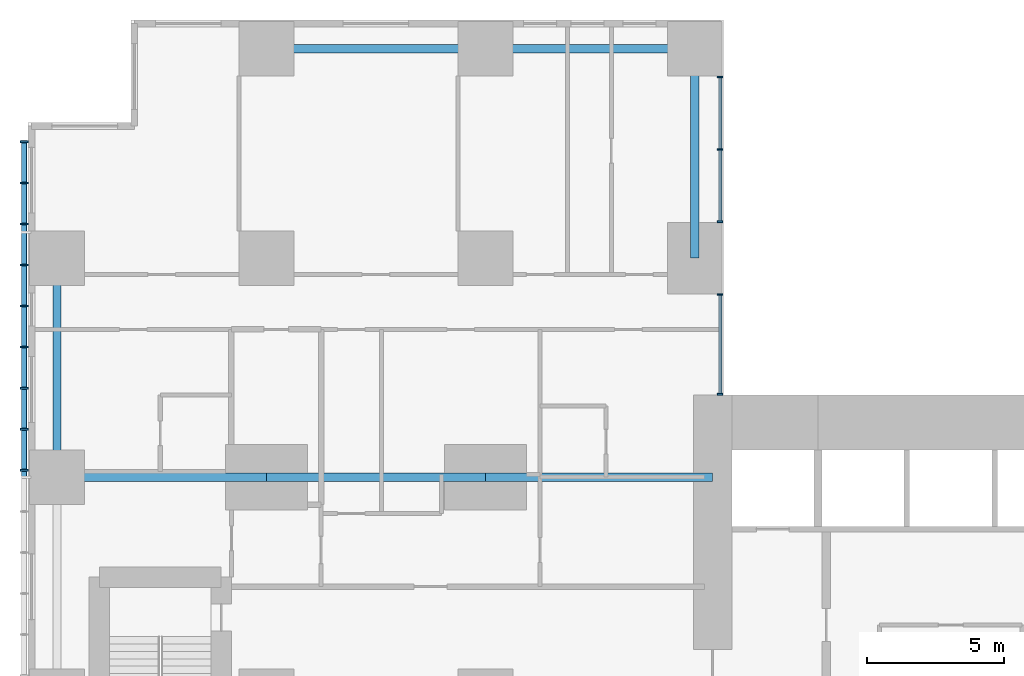
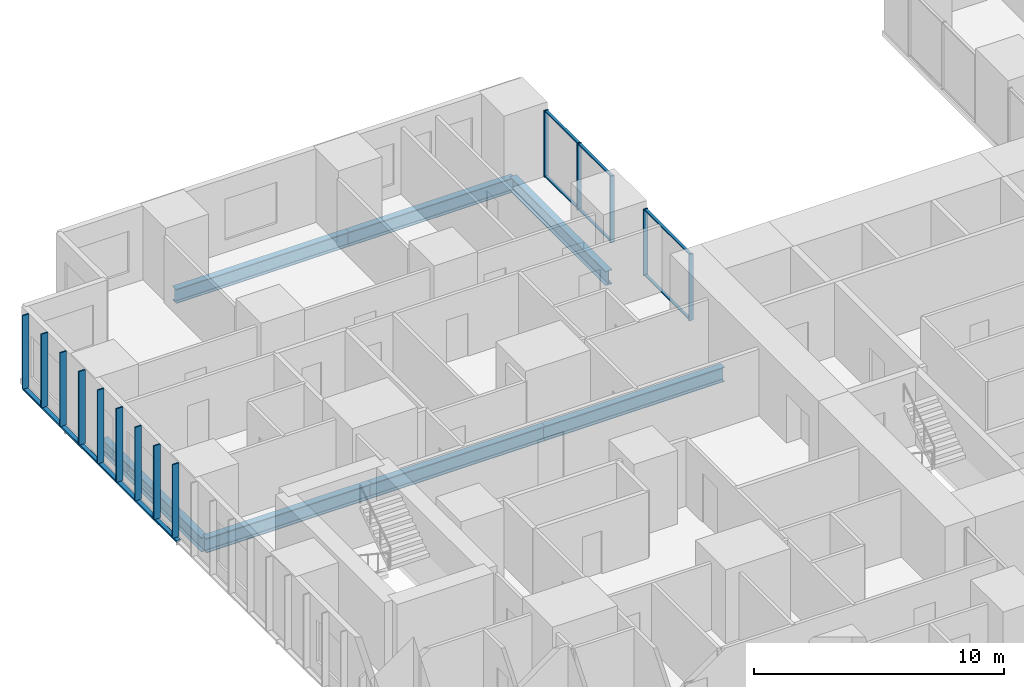
# One storey, part 4 of 20: 21 members, 7 beams, 2 elements without a shape of their own.
"""IFC4 building model written with IfcOpenShell, lengths in metres."""

from ifc_helpers import new_model, si_unit, direction, frame, origin, origin_2d, place, context, subcontext, project, spatial, rectangle, hollow_rectangle, i_section, extrude, material, layer, layer_set, material_profile, profile_set, type_object, element, aggregate, save


model = new_model("IFC4")

# Units and contexts
model_context = context("Model", 3, precision=1e-05, world=origin(), true_north=direction((0.0, 1.0)))
body_context = subcontext(model_context, "Body", "Model", "MODEL_VIEW")
ifc_project = project(units=[si_unit("LENGTHUNIT", "METRE"), si_unit("AREAUNIT", "SQUARE_METRE"), si_unit("VOLUMEUNIT", "CUBIC_METRE"), si_unit("PLANEANGLEUNIT", "RADIAN"), si_unit("MASSUNIT", "GRAM", prefix="KILO")], contexts=[model_context])

# Site, building, storey
site_placement = place(None, origin())
site = spatial("IfcSite", under=ifc_project, at=site_placement, CompositionType="ELEMENT")
building_placement = place(site_placement, origin())
building = spatial("IfcBuilding", under=site, at=building_placement, Name="Cleftline Residences", CompositionType="ELEMENT")
storey_placement = place(building_placement, frame((0.0, 0.0, 87.199951171875)))
storey = spatial("IfcBuildingStorey", under=building, at=storey_placement, Name="L22", CompositionType="ELEMENT", Elevation=87.199951171875)

# Member
ifc_material_1 = material(Name="Steel S355, hot-dip galvanised", Category="steel")
ifc_material_profile_1 = material_profile(ifc_material_1, hollow_rectangle(XDim=0.10009765625, YDim=0.199951171875, WallThickness=0.008056640625, InnerFilletRadius=0.008056640625, OuterFilletRadius=0.011962890625, at=origin_2d()))
ifc_profile_set_1 = profile_set([ifc_material_profile_1], Name="Steel S355, hot-dip galvanised")
member_type_1 = type_object("IfcMemberType", Name="BAGUETTE CARRIER RHS 200X100X8", PredefinedType="USERDEFINED", material=ifc_profile_set_1)
member_1_placement = place(storey_placement, frame((-0.85009765625, 44.300048828125, -0.050048828125), z_axis=(0.0, -1.0, 0.0), x_axis=(0.0, 0.0, 1.0)))
element("IfcMember", 1, at=member_1_placement, inside=storey, type_object=member_type_1, Name="Baguette carrier", ObjectType="BAGUETTE CARRIER", PredefinedType="USERDEFINED", context=body_context, shape_type="SweptSolid", body=[
    extrude(hollow_rectangle(XDim=0.10009765625, YDim=0.199951171875, WallThickness=0.008056640625, InnerFilletRadius=0.008056640625, OuterFilletRadius=0.011962890625, at=origin_2d()), origin(), (0.0, 0.0, 1.0), 12.300048828125),
])

# Beams
ifc_material_2 = material(Name="Steel S355", Category="steel")
ifc_material_profile_2 = material_profile(ifc_material_2, i_section(OverallWidth=0.300048828125, OverallDepth=0.699951171875, WebThickness=0.01708984375, FlangeThickness=0.031982421875, FilletRadius=0.027099609375, at=origin_2d()))
ifc_profile_set_2 = profile_set([ifc_material_profile_2], Name="Steel S355")
beam_type_1 = type_object("IfcBeamType", Name="BEAM HEB 700", PredefinedType="BEAM", material=ifc_profile_set_2)
for number, where, z_axis, x_axis, name in (
    (2, (0.35009765625, 32.0, -0.599853515625), (0.0, 1.0, 0.0), (-1.0, 0.0, 0.0), "Edge beam"),
    (3, (8.0, 47.64990234375, -0.599853515625), (1.0, 0.0, 0.0), (0.0, 1.0, 0.0), "Edge beam"),
):
    element("IfcBeam", number, at=place(storey_placement, frame(where, z_axis=z_axis, x_axis=x_axis)), inside=storey, type_object=beam_type_1, Name=name, PredefinedType="BEAM", context=body_context, shape_type="SweptSolid", body=[
        extrude(i_section(OverallWidth=0.300048828125, OverallDepth=0.699951171875, WebThickness=0.01708984375, FlangeThickness=0.031982421875, FilletRadius=0.027099609375, at=origin_2d()), origin(), (0.0, 0.0, 1.0), 8.0),
    ])
for number, where, z_axis, x_axis, name in (
    (4, (16.0, 47.64990234375, -0.599853515625), (1.0, 0.0, 0.0), (0.0, 1.0, 0.0), "Edge beam"),
    (5, (23.64990234375, 47.64990234375, -0.599853515625), (0.0, -1.0, 0.0), (1.0, 0.0, 0.0), "Edge beam"),
):
    element("IfcBeam", number, at=place(storey_placement, frame(where, z_axis=z_axis, x_axis=x_axis)), inside=storey, type_object=beam_type_1, Name=name, PredefinedType="BEAM", context=body_context, shape_type="SweptSolid", body=[
        extrude(i_section(OverallWidth=0.300048828125, OverallDepth=0.699951171875, WebThickness=0.01708984375, FlangeThickness=0.031982421875, FilletRadius=0.027099609375, at=origin_2d()), origin(), (0.0, 0.0, 1.0), 7.64990234375),
    ])
ifc_material_3 = material(Name="Steel S355", Category="steel")
ifc_material_profile_3 = material_profile(ifc_material_3, i_section(OverallWidth=0.303955078125, OverallDepth=0.716064453125, WebThickness=0.02099609375, FlangeThickness=0.0400390625, FilletRadius=0.027099609375, at=origin_2d()))
ifc_profile_set_3 = profile_set([ifc_material_profile_3], Name="Steel S355")
beam_type_2 = type_object("IfcBeamType", Name="BEAM HEM 700", PredefinedType="BEAM", material=ifc_profile_set_3)
beam_1_placement = place(storey_placement, frame((0.35009765625, 32.0, -0.60791015625), z_axis=(1.0, 0.0, 0.0), x_axis=(0.0, 1.0, 0.0)))
element("IfcBeam", 6, at=beam_1_placement, inside=storey, type_object=beam_type_2, Name="Band beam", PredefinedType="BEAM", context=body_context, shape_type="SweptSolid", body=[
    extrude(i_section(OverallWidth=0.303955078125, OverallDepth=0.716064453125, WebThickness=0.02099609375, FlangeThickness=0.0400390625, FilletRadius=0.027099609375, at=origin_2d()), origin(), (0.0, 0.0, 1.0), 7.64990234375),
])
beam_2_placement = place(storey_placement, frame((8.0, 32.0, -0.60791015625), z_axis=(1.0, 0.0, 0.0), x_axis=(0.0, 1.0, 0.0)))
element("IfcBeam", 7, at=beam_2_placement, inside=storey, type_object=beam_type_2, Name="Band beam", PredefinedType="BEAM", context=body_context, shape_type="SweptSolid", body=[
    extrude(i_section(OverallWidth=0.303955078125, OverallDepth=0.716064453125, WebThickness=0.02099609375, FlangeThickness=0.0400390625, FilletRadius=0.027099609375, at=origin_2d()), origin(), (0.0, 0.0, 1.0), 8.0),
])
beam_3_placement = place(storey_placement, frame((16.0, 32.0, -0.60791015625), z_axis=(1.0, 0.0, 0.0), x_axis=(0.0, 1.0, 0.0)))
element("IfcBeam", 8, at=beam_3_placement, inside=storey, type_object=beam_type_2, Name="Band beam", PredefinedType="BEAM", context=body_context, shape_type="SweptSolid", body=[
    extrude(i_section(OverallWidth=0.303955078125, OverallDepth=0.716064453125, WebThickness=0.02099609375, FlangeThickness=0.0400390625, FilletRadius=0.027099609375, at=origin_2d()), origin(), (0.0, 0.0, 1.0), 8.300048828125),
])

# Curtain wall, members
ifc_material_4 = material(Name="Aluminium framed curtain wall", Category="aluminium")
ifc_layer = layer(ifc_material_4, 0.199951171875)
ifc_layer_set = layer_set([ifc_layer], Name="CW1 CLEFT GLAZING")
curtain_wall_type = type_object("IfcCurtainWallType", Name="CW1 CLEFT GLAZING", PredefinedType="NOTDEFINED", material=ifc_layer_set)
curtain_wall_1_placement = place(storey_placement, origin())
curtain_wall_1 = element("IfcCurtainWall", 9, at=curtain_wall_1_placement, inside=storey, type_object=curtain_wall_type, Name="Curtain wall CW1", PredefinedType="NOTDEFINED")
ifc_material_5 = material(Name="Aluminium mullion", Category="aluminium")
ifc_material_profile_4 = material_profile(ifc_material_5, rectangle(XDim=0.199951171875, YDim=0.06005859375, at=origin_2d()))
ifc_profile_set_4 = profile_set([ifc_material_profile_4], Name="Aluminium mullion")
member_type_2 = type_object("IfcMemberType", Name="CW1 MULLION", PredefinedType="MULLION", material=ifc_profile_set_4)
member_2_placement = place(storey_placement, frame((24.574951171875, 35.030029296875, 0.0), z_axis=(0.0, 0.0, 1.0), x_axis=(-1.0, 0.0, 0.0)))
member_2 = element("IfcMember", 10, at=member_2_placement, type_object=member_type_2, Name="CW1 mullion 1", PredefinedType="MULLION", context=body_context, shape_type="SweptSolid", body=[
    extrude(rectangle(XDim=0.199951171875, YDim=0.06005859375, at=origin_2d()), origin(), (0.0, 0.0, 1.0), 3.25),
])
member_3_placement = place(storey_placement, frame((24.574951171875, 38.669921875, 0.0), z_axis=(0.0, 0.0, 1.0), x_axis=(-1.0, 0.0, 0.0)))
member_3 = element("IfcMember", 11, at=member_3_placement, type_object=member_type_2, Name="CW1 mullion 2", PredefinedType="MULLION", context=body_context, shape_type="SweptSolid", body=[
    extrude(rectangle(XDim=0.199951171875, YDim=0.06005859375, at=origin_2d()), origin(), (0.0, 0.0, 1.0), 3.25),
])

curtain_wall_2_placement = place(storey_placement, origin())
curtain_wall_2 = element("IfcCurtainWall", 12, at=curtain_wall_2_placement, inside=storey, type_object=curtain_wall_type, Name="Curtain wall CW1", PredefinedType="NOTDEFINED")
member_4_placement = place(storey_placement, frame((24.574951171875, 41.330078125, 0.0), z_axis=(0.0, 0.0, 1.0), x_axis=(-1.0, 0.0, 0.0)))
member_4 = element("IfcMember", 13, at=member_4_placement, type_object=member_type_2, Name="CW1 mullion 1", PredefinedType="MULLION", context=body_context, shape_type="SweptSolid", body=[
    extrude(rectangle(XDim=0.199951171875, YDim=0.06005859375, at=origin_2d()), origin(), (0.0, 0.0, 1.0), 3.25),
])
member_5_placement = place(storey_placement, frame((24.574951171875, 43.97509765625, 0.0), z_axis=(0.0, 0.0, 1.0), x_axis=(-1.0, 0.0, 0.0)))
member_5 = element("IfcMember", 14, at=member_5_placement, type_object=member_type_2, Name="CW1 mullion 2", PredefinedType="MULLION", context=body_context, shape_type="SweptSolid", body=[
    extrude(rectangle(XDim=0.199951171875, YDim=0.06005859375, at=origin_2d()), origin(), (0.0, 0.0, 1.0), 3.25),
])
member_6_placement = place(storey_placement, frame((24.574951171875, 46.6201171875, 0.0), z_axis=(0.0, 0.0, 1.0), x_axis=(-1.0, 0.0, 0.0)))
member_6 = element("IfcMember", 15, at=member_6_placement, type_object=member_type_2, Name="CW1 mullion 3", PredefinedType="MULLION", context=body_context, shape_type="SweptSolid", body=[
    extrude(rectangle(XDim=0.199951171875, YDim=0.06005859375, at=origin_2d()), origin(), (0.0, 0.0, 1.0), 3.25),
])

# Member
ifc_material_6 = material(Name="Aluminium transom", Category="aluminium")
ifc_material_profile_5 = material_profile(ifc_material_6, rectangle(XDim=0.1201171875, YDim=0.06005859375, at=origin_2d()))
ifc_profile_set_5 = profile_set([ifc_material_profile_5], Name="Aluminium transom")
member_type_3 = type_object("IfcMemberType", Name="CW1 TRANSOM", PredefinedType="USERDEFINED", material=ifc_profile_set_5)
member_7_placement = place(storey_placement, frame((24.574951171875, 35.06005859375, 0.030029296875), z_axis=(0.0, 1.0, 0.0), x_axis=(-1.0, 0.0, 0.0)))
member_7 = element("IfcMember", 16, at=member_7_placement, type_object=member_type_3, Name="CW1 transom 1.1", ObjectType="TRANSOM", PredefinedType="USERDEFINED", context=body_context, shape_type="SweptSolid", body=[
    extrude(rectangle(XDim=0.1201171875, YDim=0.06005859375, at=origin_2d()), origin(), (0.0, 0.0, 1.0), 3.579833984375),
])

member_8_placement = place(storey_placement, frame((24.574951171875, 35.06005859375, 3.219970703125), z_axis=(0.0, 1.0, 0.0), x_axis=(-1.0, 0.0, 0.0)))
member_8 = element("IfcMember", 17, at=member_8_placement, type_object=member_type_3, Name="CW1 transom 1.2", ObjectType="TRANSOM", PredefinedType="USERDEFINED", context=body_context, shape_type="SweptSolid", body=[
    extrude(rectangle(XDim=0.1201171875, YDim=0.06005859375, at=origin_2d()), origin(), (0.0, 0.0, 1.0), 3.579833984375),
])

aggregate(curtain_wall_1, [member_2, member_3, member_7, member_8])

member_9_placement = place(storey_placement, frame((24.574951171875, 41.360107421875, 0.030029296875), z_axis=(0.0, 1.0, 0.0), x_axis=(-1.0, 0.0, 0.0)))
member_9 = element("IfcMember", 18, at=member_9_placement, type_object=member_type_3, Name="CW1 transom 1.1", ObjectType="TRANSOM", PredefinedType="USERDEFINED", context=body_context, shape_type="SweptSolid", body=[
    extrude(rectangle(XDim=0.1201171875, YDim=0.06005859375, at=origin_2d()), origin(), (0.0, 0.0, 1.0), 2.5849609375),
])

member_10_placement = place(storey_placement, frame((24.574951171875, 41.360107421875, 3.219970703125), z_axis=(0.0, 1.0, 0.0), x_axis=(-1.0, 0.0, 0.0)))
member_10 = element("IfcMember", 19, at=member_10_placement, type_object=member_type_3, Name="CW1 transom 1.2", ObjectType="TRANSOM", PredefinedType="USERDEFINED", context=body_context, shape_type="SweptSolid", body=[
    extrude(rectangle(XDim=0.1201171875, YDim=0.06005859375, at=origin_2d()), origin(), (0.0, 0.0, 1.0), 2.5849609375),
])

member_11_placement = place(storey_placement, frame((24.574951171875, 44.0048828125, 0.030029296875), z_axis=(0.0, 1.0, 0.0), x_axis=(-1.0, 0.0, 0.0)))
member_11 = element("IfcMember", 20, at=member_11_placement, type_object=member_type_3, Name="CW1 transom 2.1", ObjectType="TRANSOM", PredefinedType="USERDEFINED", context=body_context, shape_type="SweptSolid", body=[
    extrude(rectangle(XDim=0.1201171875, YDim=0.06005859375, at=origin_2d()), origin(), (0.0, 0.0, 1.0), 2.585205078125),
])

member_12_placement = place(storey_placement, frame((24.574951171875, 44.0048828125, 3.219970703125), z_axis=(0.0, 1.0, 0.0), x_axis=(-1.0, 0.0, 0.0)))
member_12 = element("IfcMember", 21, at=member_12_placement, type_object=member_type_3, Name="CW1 transom 2.2", ObjectType="TRANSOM", PredefinedType="USERDEFINED", context=body_context, shape_type="SweptSolid", body=[
    extrude(rectangle(XDim=0.1201171875, YDim=0.06005859375, at=origin_2d()), origin(), (0.0, 0.0, 1.0), 2.585205078125),
])

aggregate(curtain_wall_2, [member_4, member_5, member_6, member_9, member_10, member_11, member_12])

# Members
ifc_material_7 = material(Name="Extruded terracotta", Category="masonry")
ifc_material_profile_6 = material_profile(ifc_material_7, rectangle(XDim=0.06005859375, YDim=0.300048828125, at=origin_2d()))
ifc_profile_set_6 = profile_set([ifc_material_profile_6], Name="Extruded terracotta")
member_type_4 = type_object("IfcMemberType", Name="TERRACOTTA BAGUETTE 60X300", PredefinedType="USERDEFINED", material=ifc_profile_set_6)
for number, where, z_axis, x_axis, name in (
    (22, (-0.85009765625, 44.25, 0.0), (0.0, 0.0, 1.0), (0.0, 1.0, 0.0), "Terracotta baguette"),
    (23, (-0.85009765625, 42.75, 0.0), (0.0, 0.0, 1.0), (0.0, 1.0, 0.0), "Terracotta baguette"),
    (24, (-0.85009765625, 41.25, 0.0), (0.0, 0.0, 1.0), (0.0, 1.0, 0.0), "Terracotta baguette"),
    (25, (-0.85009765625, 39.75, 0.0), (0.0, 0.0, 1.0), (0.0, 1.0, 0.0), "Terracotta baguette"),
    (26, (-0.85009765625, 38.25, 0.0), (0.0, 0.0, 1.0), (0.0, 1.0, 0.0), "Terracotta baguette"),
    (27, (-0.85009765625, 36.75, 0.0), (0.0, 0.0, 1.0), (0.0, 1.0, 0.0), "Terracotta baguette"),
    (28, (-0.85009765625, 35.25, 0.0), (0.0, 0.0, 1.0), (0.0, 1.0, 0.0), "Terracotta baguette"),
    (29, (-0.85009765625, 33.75, 0.0), (0.0, 0.0, 1.0), (0.0, 1.0, 0.0), "Terracotta baguette"),
    (30, (-0.85009765625, 32.25, 0.0), (0.0, 0.0, 1.0), (0.0, 1.0, 0.0), "Terracotta baguette"),
):
    element("IfcMember", number, at=place(storey_placement, frame(where, z_axis=z_axis, x_axis=x_axis)), inside=storey, type_object=member_type_4, Name=name, ObjectType="BAGUETTE", PredefinedType="USERDEFINED", context=body_context, shape_type="SweptSolid", body=[
        extrude(rectangle(XDim=0.06005859375, YDim=0.300048828125, at=origin_2d()), origin(), (0.0, 0.0, 1.0), 3.60009765625),
    ])

save(model, "model.ifc")
